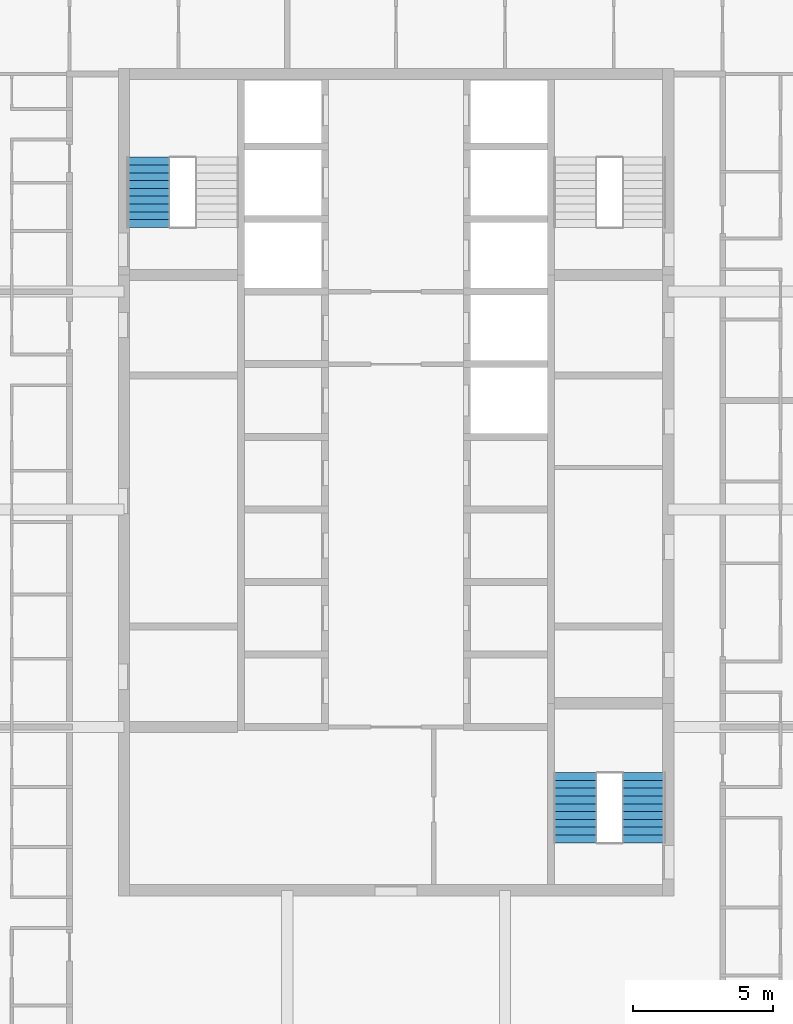
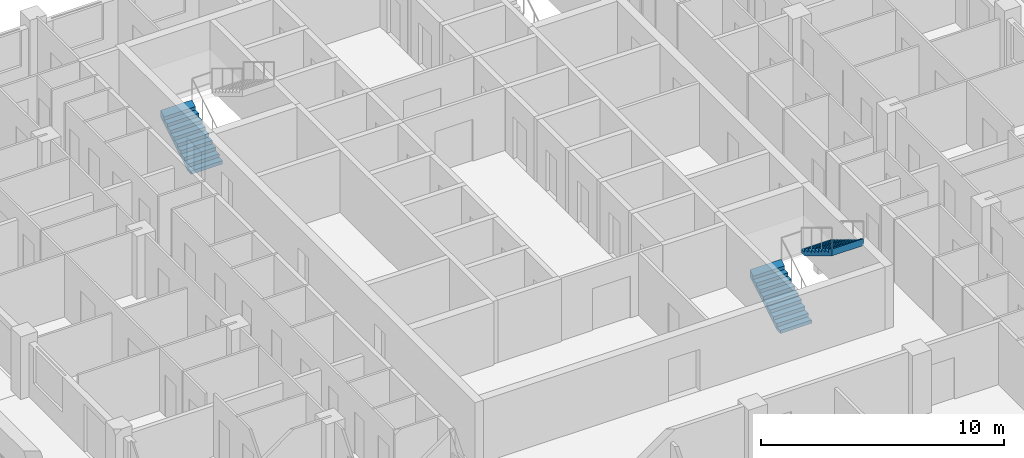
# One storey, part 13 of 16: 3 stair flights, 2 elements without a shape of their own.
"""IFC4 building model written with IfcOpenShell, lengths in metres."""

import ifcopenshell
import ifcopenshell.guid

model = None  # the IFC model being written
_history = None  # IfcOwnerHistory: only IFC2X3 demands one
_inside = {}  # id of a spatial element -> (the spatial element, [elements in it])
_under = {}  # id of a project, library or spatial element -> (it, [spatial elements below it])
_declared = {}  # id of a project -> (the project, [libraries it declares])
_typed = {}  # id of a type object -> (the type object, [elements of that type])
_made_of = {}  # id of a material, layer set ... -> (it, [elements and type objects made of it])


def new_model(schema):
    """Start an empty IFC model of exactly this schema.

    Asked for "IFC4X3", IfcOpenShell would pick the latest addendum, in which some entities
    have other attributes; the version numbers below select the first issue.
    IFC2X3 requires an IfcOwnerHistory on every rooted entity: one is made here for all.
    """
    global model, _history
    if schema == "IFC4X3":
        model = ifcopenshell.file(schema_version=(4, 3, 0, 0))
    else:
        model = ifcopenshell.file(schema=schema)
    _inside.clear()
    _under.clear()
    _declared.clear()
    _typed.clear()
    _made_of.clear()
    _history = None
    if model.schema == "IFC2X3":
        org = make("IfcOrganization", Name="unknown")
        user = make(
            "IfcPersonAndOrganization",
            ThePerson=make("IfcPerson", FamilyName="unknown"),
            TheOrganization=org,
        )
        app = make(
            "IfcApplication",
            ApplicationDeveloper=org,
            Version="unknown",
            ApplicationFullName="unknown",
            ApplicationIdentifier="unknown",
        )
        _history = make(
            "IfcOwnerHistory",
            OwningUser=user,
            OwningApplication=app,
            ChangeAction="ADDED",
            CreationDate=0,
        )
    return model


def make(cls, **values):
    """One entity of the class cls with the attributes given. An attribute that is None is left unset."""
    return model.create_entity(
        cls, **{name: value for name, value in values.items() if value is not None}
    )


def rooted(cls, **values):
    """An entity with a GlobalId (a new one), such as an element, a storey or a relation."""
    return make(cls, GlobalId=ifcopenshell.guid.new(), OwnerHistory=_history, **values)


def si_unit(unit_type, name, prefix=None):
    """IfcSIUnit, for example si_unit("LENGTHUNIT", "METRE", prefix="MILLI")."""
    return make("IfcSIUnit", UnitType=unit_type, Prefix=prefix, Name=name)


def assignment(units):
    """IfcUnitAssignment: the units of a project."""
    return None if units is None else make("IfcUnitAssignment", Units=units)


def point(xyz):
    """IfcCartesianPoint."""
    return None if xyz is None else make("IfcCartesianPoint", Coordinates=xyz)


def direction(xyz):
    """IfcDirection."""
    return None if xyz is None else make("IfcDirection", DirectionRatios=xyz)


def frame(location, z_axis=None, x_axis=None):
    """IfcAxis2Placement3D, a coordinate frame: its origin and axes. An axis left out is left unset."""
    return make(
        "IfcAxis2Placement3D",
        Location=point(location),
        Axis=direction(z_axis),
        RefDirection=direction(x_axis),
    )


def origin():
    """The frame at (0, 0, 0) with its axes left unset."""
    return frame((0.0, 0.0, 0.0))


def place(relative_to, where):
    """IfcLocalPlacement: puts the frame where relative to a parent placement (None: the world)."""
    return make(
        "IfcLocalPlacement", PlacementRelTo=relative_to, RelativePlacement=where
    )


def context(
    kind, dimensions, precision=None, world=None, true_north=None, identifier=None
):
    """IfcGeometricRepresentationContext, for example the 3D "Model" context."""
    return make(
        "IfcGeometricRepresentationContext",
        ContextIdentifier=identifier,
        ContextType=kind,
        CoordinateSpaceDimension=dimensions,
        Precision=precision,
        WorldCoordinateSystem=world,
        TrueNorth=true_north,
    )


def subcontext(parent, identifier, kind, view, scale=None):
    """IfcGeometricRepresentationSubContext, for example "Body" below "Model"."""
    return make(
        "IfcGeometricRepresentationSubContext",
        ContextIdentifier=identifier,
        ContextType=kind,
        ParentContext=parent,
        TargetScale=scale,
        TargetView=view,
    )


def project(units=None, contexts=None):
    """IfcProject with its units and contexts."""
    return rooted(
        "IfcProject",
        Name="project",
        RepresentationContexts=contexts,
        UnitsInContext=assignment(units),
    )


def spatial(cls, under=None, at=None, **own):
    """A site, building, storey or space (cls), placed at a placement, below another one or the project."""
    s = rooted(cls, ObjectPlacement=at, **own)
    if under is not None:
        _under.setdefault(under.id(), (under, []))[1].append(s)
    return s


def point_list(points):
    """IfcCartesianPointList2D or 3D."""
    cls = (
        "IfcCartesianPointList2D" if len(points[0]) == 2 else "IfcCartesianPointList3D"
    )
    return make(cls, CoordList=points)


def triangles(points, corners, closed=None, point_numbers=None):
    """IfcTriangulatedFaceSet: each triangle names its three corners, points numbered from 1."""
    return make(
        "IfcTriangulatedFaceSet",
        Coordinates=point_list(points),
        Closed=closed,
        CoordIndex=corners,
        PnIndex=point_numbers,
    )


def shape(context_of_items, identifier, shape_type, items):
    """IfcShapeRepresentation: the items that make up one representation, for example the "Body"."""
    return make(
        "IfcShapeRepresentation",
        ContextOfItems=context_of_items,
        RepresentationIdentifier=identifier,
        RepresentationType=shape_type,
        Items=items,
    )


def material(Name=None, Category=None):
    """IfcMaterial."""
    return make("IfcMaterial", Name=Name, Category=Category)


def made_of(thing, what):
    """Note that an element or type object is made of a material, layer set ...; save() writes the relation."""
    if what is not None:
        _made_of.setdefault(what.id(), (what, []))[1].append(thing)
    return thing


def type_object(cls, material=None, **own):
    """A type object (cls), such as IfcWallType, which elements share."""
    return made_of(rooted(cls, **own), material)


def element(
    cls,
    number,
    at=None,
    inside=None,
    cuts=None,
    type_object=None,
    material=None,
    context=None,
    identifier="Body",
    shape_type=None,
    held_by="IfcProductDefinitionShape",
    body=None,
    shapes=None,
    **own,
):
    """One element of the class cls, such as IfcWall. Its Tag is "e" and its number.

    at: its placement. inside: the storey or other place that contains it. cuts: it is an
    opening in that element (IfcRelVoidsElement). A single representation is given by context,
    identifier, shape_type and body (its items); several are given by shapes. held_by: the class
    of the entity that holds the representations. save() writes the other relations.
    """
    e = rooted(cls, Tag="e%d" % number, ObjectPlacement=at, **own)
    if body is not None:
        shapes = [shape(context, identifier, shape_type, body)]
    if shapes is not None:
        e.Representation = make(held_by, Representations=shapes)
    if inside is not None:
        _inside.setdefault(inside.id(), (inside, []))[1].append(e)
    if cuts is not None:
        rooted(
            "IfcRelVoidsElement", RelatingBuildingElement=cuts, RelatedOpeningElement=e
        )
    if type_object is not None:
        _typed.setdefault(type_object.id(), (type_object, []))[1].append(e)
    return made_of(e, material)


def aggregate(whole, parts):
    """IfcRelAggregates: a whole, such as a stair, and the parts it consists of."""
    return rooted("IfcRelAggregates", RelatingObject=whole, RelatedObjects=parts)


def save(model, path):
    """Write the relations noted so far, then the file.

    IfcRelAggregates (storeys below a building ...), IfcRelContainedInSpatialStructure (elements
    in a storey), IfcRelDefinesByType, IfcRelAssociatesMaterial and IfcRelDeclares: one each for
    every whole, place, type object, material and project.
    """
    for whole, parts in _under.values():
        aggregate(whole, parts)
    for where, things in _inside.values():
        rooted(
            "IfcRelContainedInSpatialStructure",
            RelatedElements=things,
            RelatingStructure=where,
        )
    for kind, things in _typed.values():
        rooted("IfcRelDefinesByType", RelatedObjects=things, RelatingType=kind)
    for what, things in _made_of.values():
        rooted("IfcRelAssociatesMaterial", RelatedObjects=things, RelatingMaterial=what)
    for by, libraries in _declared.values():
        rooted("IfcRelDeclares", RelatingContext=by, RelatedDefinitions=libraries)
    model.write(path)


model = new_model("IFC4")

# Units and contexts
model_context = context("Model", 3, precision=1e-05, world=origin(), true_north=direction((0.0, 1.0)))
body_context = subcontext(model_context, "Body", "Model", "MODEL_VIEW")
ifc_project = project(units=[si_unit("LENGTHUNIT", "METRE"), si_unit("AREAUNIT", "SQUARE_METRE"), si_unit("VOLUMEUNIT", "CUBIC_METRE"), si_unit("PLANEANGLEUNIT", "RADIAN"), si_unit("MASSUNIT", "GRAM", prefix="KILO")], contexts=[model_context])

# Site, building, storey
site_placement = place(None, origin())
site = spatial("IfcSite", under=ifc_project, at=site_placement, CompositionType="ELEMENT")
building_placement = place(site_placement, origin())
building = spatial("IfcBuilding", under=site, at=building_placement, Name="Ludao Terraces", CompositionType="ELEMENT")
storey_placement = place(building_placement, frame((0.0, 0.0, 204.10009765625)))
storey = spatial("IfcBuildingStorey", under=building, at=storey_placement, Name="L55", CompositionType="ELEMENT", Elevation=204.10009765625)

# Stair, stair flight
ifc_material = material(Name="Concrete C40", Category="concrete")
stair_type = type_object("IfcStairType", Name="INT Stair", PredefinedType="HALF_TURN_STAIR", material=ifc_material)
stair_1_placement = place(storey_placement, origin())
stair_1 = element("IfcStair", 1, at=stair_1_placement, inside=storey, type_object=stair_type, Name="EXIT STAIR 1", PredefinedType="HALF_TURN_STAIR")
stair_flight_type = type_object("IfcStairFlightType", Name="INT Stair flight", PredefinedType="STRAIGHT", material=ifc_material)
stair_flight_1_placement = place(storey_placement, frame((76.125, 79.0, 0.0), z_axis=(0.0, 0.0, 1.0), x_axis=(0.0, 1.0, 0.0)))
stair_flight_1 = element("IfcStairFlight", 2, at=stair_flight_1_placement, type_object=stair_flight_type, Name="ST1 flight 1", NumberOfRisers=10, NumberOfTreads=9, PredefinedType="STRAIGHT", RiserHeight=0.17, TreadLength=0.28, context=body_context, shape_type="Tessellation", body=[
    triangles([(0.0, -0.75, 0.0), (0.0, -0.5, 0.0), (0.0, -0.25, 0.0), (0.0, 0.0, 0.0), (0.0, 0.25, 0.0), (0.0, 0.5, 0.0), (0.0, 0.75, 0.0), (0.0, -0.75, 0.169921875), (0.0, -0.5, 0.169921875), (0.0, -0.25, 0.169921875), (0.0, 0.0, 0.169921875), (0.0, 0.25, 0.169921875), (0.0, 0.5, 0.169921875), (0.0, 0.75, 0.169921875), (0.280029296875, -0.75, 0.169921875), (0.280029296875, -0.5, 0.169921875), (0.280029296875, -0.25, 0.169921875), (0.280029296875, 0.0, 0.169921875), (0.280029296875, 0.25, 0.169921875), (0.280029296875, 0.5, 0.169921875), (0.280029296875, 0.75, 0.169921875), (0.280029296875, -0.75, 0.340087890625), (0.280029296875, -0.5, 0.340087890625), (0.280029296875, -0.25, 0.340087890625), (0.280029296875, 0.0, 0.340087890625), (0.280029296875, 0.25, 0.340087890625), (0.280029296875, 0.5, 0.340087890625), (0.280029296875, 0.75, 0.340087890625), (0.56005859375, -0.75, 0.340087890625), (0.56005859375, -0.5, 0.340087890625), (0.56005859375, -0.25, 0.340087890625), (0.56005859375, 0.0, 0.340087890625), (0.56005859375, 0.25, 0.340087890625), (0.56005859375, 0.5, 0.340087890625), (0.56005859375, 0.75, 0.340087890625), (0.56005859375, -0.75, 0.510009765625), (0.56005859375, -0.5, 0.510009765625), (0.56005859375, -0.25, 0.510009765625), (0.56005859375, 0.0, 0.510009765625), (0.56005859375, 0.25, 0.510009765625), (0.56005859375, 0.5, 0.510009765625), (0.56005859375, 0.75, 0.510009765625), (0.840087890625, -0.75, 0.510009765625), (0.840087890625, -0.5, 0.510009765625), (0.840087890625, -0.25, 0.510009765625), (0.840087890625, 0.0, 0.510009765625), (0.840087890625, 0.25, 0.510009765625), (0.840087890625, 0.5, 0.510009765625), (0.840087890625, 0.75, 0.510009765625), (0.840087890625, -0.75, 0.679931640625), (0.840087890625, -0.5, 0.679931640625), (0.840087890625, -0.25, 0.679931640625), (0.840087890625, 0.0, 0.679931640625), (0.840087890625, 0.25, 0.679931640625), (0.840087890625, 0.5, 0.679931640625), (0.840087890625, 0.75, 0.679931640625), (1.1201171875, -0.75, 0.679931640625), (1.1201171875, -0.5, 0.679931640625), (1.1201171875, -0.25, 0.679931640625), (1.1201171875, 0.0, 0.679931640625), (1.1201171875, 0.25, 0.679931640625), (1.1201171875, 0.5, 0.679931640625), (1.1201171875, 0.75, 0.679931640625), (1.1201171875, -0.75, 0.85009765625), (1.1201171875, -0.5, 0.85009765625), (1.1201171875, -0.25, 0.85009765625), (1.1201171875, 0.0, 0.85009765625), (1.1201171875, 0.25, 0.85009765625), (1.1201171875, 0.5, 0.85009765625), (1.1201171875, 0.75, 0.85009765625), (1.39990234375, -0.75, 0.85009765625), (1.39990234375, -0.5, 0.85009765625), (1.39990234375, -0.25, 0.85009765625), (1.39990234375, 0.0, 0.85009765625), (1.39990234375, 0.25, 0.85009765625), (1.39990234375, 0.5, 0.85009765625), (1.39990234375, 0.75, 0.85009765625), (1.39990234375, -0.75, 1.02001953125), (1.39990234375, -0.5, 1.02001953125), (1.39990234375, -0.25, 1.02001953125), (1.39990234375, 0.0, 1.02001953125), (1.39990234375, 0.25, 1.02001953125), (1.39990234375, 0.5, 1.02001953125), (1.39990234375, 0.75, 1.02001953125), (1.679931640625, -0.75, 1.02001953125), (1.679931640625, -0.5, 1.02001953125), (1.679931640625, -0.25, 1.02001953125), (1.679931640625, 0.0, 1.02001953125), (1.679931640625, 0.25, 1.02001953125), (1.679931640625, 0.5, 1.02001953125), (1.679931640625, 0.75, 1.02001953125), (1.679931640625, -0.75, 1.18994140625), (1.679931640625, -0.5, 1.18994140625), (1.679931640625, -0.25, 1.18994140625), (1.679931640625, 0.0, 1.18994140625), (1.679931640625, 0.25, 1.18994140625), (1.679931640625, 0.5, 1.18994140625), (1.679931640625, 0.75, 1.18994140625), (1.9599609375, -0.75, 1.18994140625), (1.9599609375, -0.5, 1.18994140625), (1.9599609375, -0.25, 1.18994140625), (1.9599609375, 0.0, 1.18994140625), (1.9599609375, 0.25, 1.18994140625), (1.9599609375, 0.5, 1.18994140625), (1.9599609375, 0.75, 1.18994140625), (1.9599609375, -0.75, 1.360107421875), (1.9599609375, -0.5, 1.360107421875), (1.9599609375, -0.25, 1.360107421875), (1.9599609375, 0.0, 1.360107421875), (1.9599609375, 0.25, 1.360107421875), (1.9599609375, 0.5, 1.360107421875), (1.9599609375, 0.75, 1.360107421875), (2.239990234375, -0.75, 1.360107421875), (2.239990234375, -0.5, 1.360107421875), (2.239990234375, -0.25, 1.360107421875), (2.239990234375, 0.0, 1.360107421875), (2.239990234375, 0.25, 1.360107421875), (2.239990234375, 0.5, 1.360107421875), (2.239990234375, 0.75, 1.360107421875), (2.239990234375, -0.75, 1.530029296875), (2.239990234375, -0.5, 1.530029296875), (2.239990234375, -0.25, 1.530029296875), (2.239990234375, 0.0, 1.530029296875), (2.239990234375, 0.25, 1.530029296875), (2.239990234375, 0.5, 1.530029296875), (2.239990234375, 0.75, 1.530029296875), (2.52001953125, -0.75, 1.699951171875), (2.52001953125, -0.5, 1.699951171875), (2.52001953125, -0.25, 1.699951171875), (2.52001953125, 0.0, 1.699951171875), (2.52001953125, 0.25, 1.699951171875), (2.52001953125, 0.5, 1.699951171875), (2.52001953125, 0.75, 1.699951171875), (2.52001953125, -0.75, 1.354736328125), (2.52001953125, -0.5, 1.354736328125), (2.52001953125, -0.25, 1.354736328125), (2.52001953125, 0.0, 1.354736328125), (2.52001953125, 0.25, 1.354736328125), (2.52001953125, 0.5, 1.354736328125), (2.52001953125, 0.75, 1.354736328125), (0.288818359375, -0.75, 0.0), (0.288818359375, -0.5, 0.0), (0.288818359375, -0.25, 0.0), (0.288818359375, 0.0, 0.0), (0.288818359375, 0.25, 0.0), (0.288818359375, 0.5, 0.0), (0.288818359375, 0.75, 0.0)], [[1, 141, 134], [7, 140, 147], [134, 127, 120], [140, 126, 133], [134, 120, 113], [140, 119, 126], [134, 113, 106], [140, 112, 119], [134, 106, 99], [140, 105, 112], [99, 92, 85], [105, 91, 98], [134, 99, 85], [140, 91, 105], [85, 78, 71], [91, 77, 84], [134, 85, 71], [140, 77, 91], [71, 64, 57], [77, 63, 70], [134, 71, 57], [140, 63, 77], [57, 50, 43], [63, 49, 56], [134, 57, 43], [140, 49, 63], [43, 36, 29], [49, 35, 42], [134, 43, 29], [140, 35, 49], [29, 22, 15], [35, 21, 28], [134, 29, 15], [140, 21, 35], [1, 134, 15], [7, 21, 140], [15, 8, 1], [21, 7, 14], [1, 9, 2], [1, 8, 9], [2, 10, 3], [2, 9, 10], [3, 11, 4], [3, 10, 11], [4, 12, 5], [4, 11, 12], [5, 13, 6], [5, 12, 13], [6, 14, 7], [6, 13, 14], [8, 16, 9], [8, 15, 16], [9, 17, 10], [9, 16, 17], [10, 18, 11], [10, 17, 18], [11, 19, 12], [11, 18, 19], [12, 20, 13], [12, 19, 20], [13, 21, 14], [13, 20, 21], [15, 23, 16], [15, 22, 23], [16, 24, 17], [16, 23, 24], [17, 25, 18], [17, 24, 25], [18, 26, 19], [18, 25, 26], [19, 27, 20], [19, 26, 27], [20, 28, 21], [20, 27, 28], [22, 30, 23], [22, 29, 30], [23, 31, 24], [23, 30, 31], [24, 32, 25], [24, 31, 32], [25, 33, 26], [25, 32, 33], [26, 34, 27], [26, 33, 34], [27, 35, 28], [27, 34, 35], [29, 37, 30], [29, 36, 37], [30, 38, 31], [30, 37, 38], [31, 39, 32], [31, 38, 39], [32, 40, 33], [32, 39, 40], [33, 41, 34], [33, 40, 41], [34, 42, 35], [34, 41, 42], [36, 44, 37], [36, 43, 44], [37, 45, 38], [37, 44, 45], [38, 46, 39], [38, 45, 46], [39, 47, 40], [39, 46, 47], [40, 48, 41], [40, 47, 48], [41, 49, 42], [41, 48, 49], [43, 51, 44], [43, 50, 51], [44, 52, 45], [44, 51, 52], [45, 53, 46], [45, 52, 53], [46, 54, 47], [46, 53, 54], [47, 55, 48], [47, 54, 55], [48, 56, 49], [48, 55, 56], [50, 58, 51], [50, 57, 58], [51, 59, 52], [51, 58, 59], [52, 60, 53], [52, 59, 60], [53, 61, 54], [53, 60, 61], [54, 62, 55], [54, 61, 62], [55, 63, 56], [55, 62, 63], [57, 65, 58], [57, 64, 65], [58, 66, 59], [58, 65, 66], [59, 67, 60], [59, 66, 67], [60, 68, 61], [60, 67, 68], [61, 69, 62], [61, 68, 69], [62, 70, 63], [62, 69, 70], [64, 72, 65], [64, 71, 72], [65, 73, 66], [65, 72, 73], [66, 74, 67], [66, 73, 74], [67, 75, 68], [67, 74, 75], [68, 76, 69], [68, 75, 76], [69, 77, 70], [69, 76, 77], [71, 79, 72], [71, 78, 79], [72, 80, 73], [72, 79, 80], [73, 81, 74], [73, 80, 81], [74, 82, 75], [74, 81, 82], [75, 83, 76], [75, 82, 83], [76, 84, 77], [76, 83, 84], [78, 86, 79], [78, 85, 86], [79, 87, 80], [79, 86, 87], [80, 88, 81], [80, 87, 88], [81, 89, 82], [81, 88, 89], [82, 90, 83], [82, 89, 90], [83, 91, 84], [83, 90, 91], [85, 93, 86], [85, 92, 93], [86, 94, 87], [86, 93, 94], [87, 95, 88], [87, 94, 95], [88, 96, 89], [88, 95, 96], [89, 97, 90], [89, 96, 97], [90, 98, 91], [90, 97, 98], [92, 100, 93], [92, 99, 100], [93, 101, 94], [93, 100, 101], [94, 102, 95], [94, 101, 102], [95, 103, 96], [95, 102, 103], [96, 104, 97], [96, 103, 104], [97, 105, 98], [97, 104, 105], [99, 107, 100], [99, 106, 107], [100, 108, 101], [100, 107, 108], [101, 109, 102], [101, 108, 109], [102, 110, 103], [102, 109, 110], [103, 111, 104], [103, 110, 111], [104, 112, 105], [104, 111, 112], [106, 114, 107], [106, 113, 114], [107, 115, 108], [107, 114, 115], [108, 116, 109], [108, 115, 116], [109, 117, 110], [109, 116, 117], [110, 118, 111], [110, 117, 118], [111, 119, 112], [111, 118, 119], [113, 121, 114], [113, 120, 121], [114, 122, 115], [114, 121, 122], [115, 123, 116], [115, 122, 123], [116, 124, 117], [116, 123, 124], [117, 125, 118], [117, 124, 125], [118, 126, 119], [118, 125, 126], [120, 128, 121], [120, 127, 128], [121, 129, 122], [121, 128, 129], [122, 130, 123], [122, 129, 130], [123, 131, 124], [123, 130, 131], [124, 132, 125], [124, 131, 132], [125, 133, 126], [125, 132, 133], [127, 135, 128], [127, 134, 135], [128, 136, 129], [128, 135, 136], [129, 137, 130], [129, 136, 137], [130, 138, 131], [130, 137, 138], [131, 139, 132], [131, 138, 139], [132, 140, 133], [132, 139, 140], [134, 142, 135], [134, 141, 142], [135, 143, 136], [135, 142, 143], [136, 144, 137], [136, 143, 144], [137, 145, 138], [137, 144, 145], [138, 146, 139], [138, 145, 146], [139, 147, 140], [139, 146, 147], [141, 2, 142], [141, 1, 2], [142, 3, 143], [142, 2, 3], [143, 4, 144], [143, 3, 4], [144, 5, 145], [144, 4, 5], [145, 6, 146], [145, 5, 6], [146, 7, 147], [146, 6, 7]], closed=True),
])
aggregate(stair_1, [stair_flight_1])

# Stair, stair flights
stair_2_placement = place(storey_placement, origin())
stair_2 = element("IfcStair", 3, at=stair_2_placement, inside=storey, type_object=stair_type, Name="EXIT STAIR 3", PredefinedType="HALF_TURN_STAIR")
stair_flight_2_placement = place(storey_placement, frame((91.425048828125, 56.949951171875, 0.0), z_axis=(0.0, 0.0, 1.0), x_axis=(0.0, 1.0, 0.0)))
stair_flight_2 = element("IfcStairFlight", 4, at=stair_flight_2_placement, type_object=stair_flight_type, Name="ST3 flight 1", NumberOfRisers=10, NumberOfTreads=9, PredefinedType="STRAIGHT", RiserHeight=0.17, TreadLength=0.28, context=body_context, shape_type="Tessellation", body=[
    triangles([(0.0, -0.75, 0.0), (0.0, -0.5, 0.0), (0.0, -0.25, 0.0), (0.0, 0.0, 0.0), (0.0, 0.25, 0.0), (0.0, 0.5, 0.0), (0.0, 0.75, 0.0), (0.0, -0.75, 0.169921875), (0.0, -0.5, 0.169921875), (0.0, -0.25, 0.169921875), (0.0, 0.0, 0.169921875), (0.0, 0.25, 0.169921875), (0.0, 0.5, 0.169921875), (0.0, 0.75, 0.169921875), (0.280029296875, -0.75, 0.169921875), (0.280029296875, -0.5, 0.169921875), (0.280029296875, -0.25, 0.169921875), (0.280029296875, 0.0, 0.169921875), (0.280029296875, 0.25, 0.169921875), (0.280029296875, 0.5, 0.169921875), (0.280029296875, 0.75, 0.169921875), (0.280029296875, -0.75, 0.340087890625), (0.280029296875, -0.5, 0.340087890625), (0.280029296875, -0.25, 0.340087890625), (0.280029296875, 0.0, 0.340087890625), (0.280029296875, 0.25, 0.340087890625), (0.280029296875, 0.5, 0.340087890625), (0.280029296875, 0.75, 0.340087890625), (0.56005859375, -0.75, 0.340087890625), (0.56005859375, -0.5, 0.340087890625), (0.56005859375, -0.25, 0.340087890625), (0.56005859375, 0.0, 0.340087890625), (0.56005859375, 0.25, 0.340087890625), (0.56005859375, 0.5, 0.340087890625), (0.56005859375, 0.75, 0.340087890625), (0.56005859375, -0.75, 0.510009765625), (0.56005859375, -0.5, 0.510009765625), (0.56005859375, -0.25, 0.510009765625), (0.56005859375, 0.0, 0.510009765625), (0.56005859375, 0.25, 0.510009765625), (0.56005859375, 0.5, 0.510009765625), (0.56005859375, 0.75, 0.510009765625), (0.840087890625, -0.75, 0.510009765625), (0.840087890625, -0.5, 0.510009765625), (0.840087890625, -0.25, 0.510009765625), (0.840087890625, 0.0, 0.510009765625), (0.840087890625, 0.25, 0.510009765625), (0.840087890625, 0.5, 0.510009765625), (0.840087890625, 0.75, 0.510009765625), (0.840087890625, -0.75, 0.679931640625), (0.840087890625, -0.5, 0.679931640625), (0.840087890625, -0.25, 0.679931640625), (0.840087890625, 0.0, 0.679931640625), (0.840087890625, 0.25, 0.679931640625), (0.840087890625, 0.5, 0.679931640625), (0.840087890625, 0.75, 0.679931640625), (1.1201171875, -0.75, 0.679931640625), (1.1201171875, -0.5, 0.679931640625), (1.1201171875, -0.25, 0.679931640625), (1.1201171875, 0.0, 0.679931640625), (1.1201171875, 0.25, 0.679931640625), (1.1201171875, 0.5, 0.679931640625), (1.1201171875, 0.75, 0.679931640625), (1.1201171875, -0.75, 0.85009765625), (1.1201171875, -0.5, 0.85009765625), (1.1201171875, -0.25, 0.85009765625), (1.1201171875, 0.0, 0.85009765625), (1.1201171875, 0.25, 0.85009765625), (1.1201171875, 0.5, 0.85009765625), (1.1201171875, 0.75, 0.85009765625), (1.39990234375, -0.75, 0.85009765625), (1.39990234375, -0.5, 0.85009765625), (1.39990234375, -0.25, 0.85009765625), (1.39990234375, 0.0, 0.85009765625), (1.39990234375, 0.25, 0.85009765625), (1.39990234375, 0.5, 0.85009765625), (1.39990234375, 0.75, 0.85009765625), (1.39990234375, -0.75, 1.02001953125), (1.39990234375, -0.5, 1.02001953125), (1.39990234375, -0.25, 1.02001953125), (1.39990234375, 0.0, 1.02001953125), (1.39990234375, 0.25, 1.02001953125), (1.39990234375, 0.5, 1.02001953125), (1.39990234375, 0.75, 1.02001953125), (1.679931640625, -0.75, 1.02001953125), (1.679931640625, -0.5, 1.02001953125), (1.679931640625, -0.25, 1.02001953125), (1.679931640625, 0.0, 1.02001953125), (1.679931640625, 0.25, 1.02001953125), (1.679931640625, 0.5, 1.02001953125), (1.679931640625, 0.75, 1.02001953125), (1.679931640625, -0.75, 1.18994140625), (1.679931640625, -0.5, 1.18994140625), (1.679931640625, -0.25, 1.18994140625), (1.679931640625, 0.0, 1.18994140625), (1.679931640625, 0.25, 1.18994140625), (1.679931640625, 0.5, 1.18994140625), (1.679931640625, 0.75, 1.18994140625), (1.9599609375, -0.75, 1.18994140625), (1.9599609375, -0.5, 1.18994140625), (1.9599609375, -0.25, 1.18994140625), (1.9599609375, 0.0, 1.18994140625), (1.9599609375, 0.25, 1.18994140625), (1.9599609375, 0.5, 1.18994140625), (1.9599609375, 0.75, 1.18994140625), (1.9599609375, -0.75, 1.360107421875), (1.9599609375, -0.5, 1.360107421875), (1.9599609375, -0.25, 1.360107421875), (1.9599609375, 0.0, 1.360107421875), (1.9599609375, 0.25, 1.360107421875), (1.9599609375, 0.5, 1.360107421875), (1.9599609375, 0.75, 1.360107421875), (2.239990234375, -0.75, 1.360107421875), (2.239990234375, -0.5, 1.360107421875), (2.239990234375, -0.25, 1.360107421875), (2.239990234375, 0.0, 1.360107421875), (2.239990234375, 0.25, 1.360107421875), (2.239990234375, 0.5, 1.360107421875), (2.239990234375, 0.75, 1.360107421875), (2.239990234375, -0.75, 1.530029296875), (2.239990234375, -0.5, 1.530029296875), (2.239990234375, -0.25, 1.530029296875), (2.239990234375, 0.0, 1.530029296875), (2.239990234375, 0.25, 1.530029296875), (2.239990234375, 0.5, 1.530029296875), (2.239990234375, 0.75, 1.530029296875), (2.52001953125, -0.75, 1.699951171875), (2.52001953125, -0.5, 1.699951171875), (2.52001953125, -0.25, 1.699951171875), (2.52001953125, 0.0, 1.699951171875), (2.52001953125, 0.25, 1.699951171875), (2.52001953125, 0.5, 1.699951171875), (2.52001953125, 0.75, 1.699951171875), (2.52001953125, -0.75, 1.354736328125), (2.52001953125, -0.5, 1.354736328125), (2.52001953125, -0.25, 1.354736328125), (2.52001953125, 0.0, 1.354736328125), (2.52001953125, 0.25, 1.354736328125), (2.52001953125, 0.5, 1.354736328125), (2.52001953125, 0.75, 1.354736328125), (0.288818359375, -0.75, 0.0), (0.288818359375, -0.5, 0.0), (0.288818359375, -0.25, 0.0), (0.288818359375, 0.0, 0.0), (0.288818359375, 0.25, 0.0), (0.288818359375, 0.5, 0.0), (0.288818359375, 0.75, 0.0)], [[1, 141, 134], [7, 140, 147], [134, 127, 120], [140, 126, 133], [134, 120, 113], [140, 119, 126], [134, 113, 106], [140, 112, 119], [134, 106, 99], [140, 105, 112], [99, 92, 85], [105, 91, 98], [134, 99, 85], [140, 91, 105], [85, 78, 71], [91, 77, 84], [134, 85, 71], [140, 77, 91], [71, 64, 57], [77, 63, 70], [134, 71, 57], [140, 63, 77], [57, 50, 43], [63, 49, 56], [134, 57, 43], [140, 49, 63], [43, 36, 29], [49, 35, 42], [134, 43, 29], [140, 35, 49], [29, 22, 15], [35, 21, 28], [134, 29, 15], [140, 21, 35], [1, 134, 15], [7, 21, 140], [15, 8, 1], [21, 7, 14], [1, 9, 2], [1, 8, 9], [2, 10, 3], [2, 9, 10], [3, 11, 4], [3, 10, 11], [4, 12, 5], [4, 11, 12], [5, 13, 6], [5, 12, 13], [6, 14, 7], [6, 13, 14], [8, 16, 9], [8, 15, 16], [9, 17, 10], [9, 16, 17], [10, 18, 11], [10, 17, 18], [11, 19, 12], [11, 18, 19], [12, 20, 13], [12, 19, 20], [13, 21, 14], [13, 20, 21], [15, 23, 16], [15, 22, 23], [16, 24, 17], [16, 23, 24], [17, 25, 18], [17, 24, 25], [18, 26, 19], [18, 25, 26], [19, 27, 20], [19, 26, 27], [20, 28, 21], [20, 27, 28], [22, 30, 23], [22, 29, 30], [23, 31, 24], [23, 30, 31], [24, 32, 25], [24, 31, 32], [25, 33, 26], [25, 32, 33], [26, 34, 27], [26, 33, 34], [27, 35, 28], [27, 34, 35], [29, 37, 30], [29, 36, 37], [30, 38, 31], [30, 37, 38], [31, 39, 32], [31, 38, 39], [32, 40, 33], [32, 39, 40], [33, 41, 34], [33, 40, 41], [34, 42, 35], [34, 41, 42], [36, 44, 37], [36, 43, 44], [37, 45, 38], [37, 44, 45], [38, 46, 39], [38, 45, 46], [39, 47, 40], [39, 46, 47], [40, 48, 41], [40, 47, 48], [41, 49, 42], [41, 48, 49], [43, 51, 44], [43, 50, 51], [44, 52, 45], [44, 51, 52], [45, 53, 46], [45, 52, 53], [46, 54, 47], [46, 53, 54], [47, 55, 48], [47, 54, 55], [48, 56, 49], [48, 55, 56], [50, 58, 51], [50, 57, 58], [51, 59, 52], [51, 58, 59], [52, 60, 53], [52, 59, 60], [53, 61, 54], [53, 60, 61], [54, 62, 55], [54, 61, 62], [55, 63, 56], [55, 62, 63], [57, 65, 58], [57, 64, 65], [58, 66, 59], [58, 65, 66], [59, 67, 60], [59, 66, 67], [60, 68, 61], [60, 67, 68], [61, 69, 62], [61, 68, 69], [62, 70, 63], [62, 69, 70], [64, 72, 65], [64, 71, 72], [65, 73, 66], [65, 72, 73], [66, 74, 67], [66, 73, 74], [67, 75, 68], [67, 74, 75], [68, 76, 69], [68, 75, 76], [69, 77, 70], [69, 76, 77], [71, 79, 72], [71, 78, 79], [72, 80, 73], [72, 79, 80], [73, 81, 74], [73, 80, 81], [74, 82, 75], [74, 81, 82], [75, 83, 76], [75, 82, 83], [76, 84, 77], [76, 83, 84], [78, 86, 79], [78, 85, 86], [79, 87, 80], [79, 86, 87], [80, 88, 81], [80, 87, 88], [81, 89, 82], [81, 88, 89], [82, 90, 83], [82, 89, 90], [83, 91, 84], [83, 90, 91], [85, 93, 86], [85, 92, 93], [86, 94, 87], [86, 93, 94], [87, 95, 88], [87, 94, 95], [88, 96, 89], [88, 95, 96], [89, 97, 90], [89, 96, 97], [90, 98, 91], [90, 97, 98], [92, 100, 93], [92, 99, 100], [93, 101, 94], [93, 100, 101], [94, 102, 95], [94, 101, 102], [95, 103, 96], [95, 102, 103], [96, 104, 97], [96, 103, 104], [97, 105, 98], [97, 104, 105], [99, 107, 100], [99, 106, 107], [100, 108, 101], [100, 107, 108], [101, 109, 102], [101, 108, 109], [102, 110, 103], [102, 109, 110], [103, 111, 104], [103, 110, 111], [104, 112, 105], [104, 111, 112], [106, 114, 107], [106, 113, 114], [107, 115, 108], [107, 114, 115], [108, 116, 109], [108, 115, 116], [109, 117, 110], [109, 116, 117], [110, 118, 111], [110, 117, 118], [111, 119, 112], [111, 118, 119], [113, 121, 114], [113, 120, 121], [114, 122, 115], [114, 121, 122], [115, 123, 116], [115, 122, 123], [116, 124, 117], [116, 123, 124], [117, 125, 118], [117, 124, 125], [118, 126, 119], [118, 125, 126], [120, 128, 121], [120, 127, 128], [121, 129, 122], [121, 128, 129], [122, 130, 123], [122, 129, 130], [123, 131, 124], [123, 130, 131], [124, 132, 125], [124, 131, 132], [125, 133, 126], [125, 132, 133], [127, 135, 128], [127, 134, 135], [128, 136, 129], [128, 135, 136], [129, 137, 130], [129, 136, 137], [130, 138, 131], [130, 137, 138], [131, 139, 132], [131, 138, 139], [132, 140, 133], [132, 139, 140], [134, 142, 135], [134, 141, 142], [135, 143, 136], [135, 142, 143], [136, 144, 137], [136, 143, 144], [137, 145, 138], [137, 144, 145], [138, 146, 139], [138, 145, 146], [139, 147, 140], [139, 146, 147], [141, 2, 142], [141, 1, 2], [142, 3, 143], [142, 2, 3], [143, 4, 144], [143, 3, 4], [144, 5, 145], [144, 4, 5], [145, 6, 146], [145, 5, 6], [146, 7, 147], [146, 6, 7]], closed=True),
])
stair_flight_3_placement = place(storey_placement, frame((93.875, 59.469970703125, 1.699951171875), z_axis=(0.0, 0.0, 1.0), x_axis=(0.0, -1.0, 0.0)))
stair_flight_3 = element("IfcStairFlight", 5, at=stair_flight_3_placement, type_object=stair_flight_type, Name="ST3 flight 2", NumberOfRisers=10, NumberOfTreads=9, PredefinedType="STRAIGHT", RiserHeight=0.17, TreadLength=0.28, context=body_context, shape_type="Tessellation", body=[
    triangles([(0.0, -0.75, 0.0), (0.0, -0.5, 0.0), (0.0, -0.25, 0.0), (0.0, 0.0, 0.0), (0.0, 0.25, 0.0), (0.0, 0.5, 0.0), (0.0, 0.75, 0.0), (0.0, -0.75, 0.169921875), (0.0, -0.5, 0.169921875), (0.0, -0.25, 0.169921875), (0.0, 0.0, 0.169921875), (0.0, 0.25, 0.169921875), (0.0, 0.5, 0.169921875), (0.0, 0.75, 0.169921875), (0.280029296875, -0.75, 0.169921875), (0.280029296875, -0.5, 0.169921875), (0.280029296875, -0.25, 0.169921875), (0.280029296875, 0.0, 0.169921875), (0.280029296875, 0.25, 0.169921875), (0.280029296875, 0.5, 0.169921875), (0.280029296875, 0.75, 0.169921875), (0.280029296875, -0.75, 0.340087890625), (0.280029296875, -0.5, 0.340087890625), (0.280029296875, -0.25, 0.340087890625), (0.280029296875, 0.0, 0.340087890625), (0.280029296875, 0.25, 0.340087890625), (0.280029296875, 0.5, 0.340087890625), (0.280029296875, 0.75, 0.340087890625), (0.56005859375, -0.75, 0.340087890625), (0.56005859375, -0.5, 0.340087890625), (0.56005859375, -0.25, 0.340087890625), (0.56005859375, 0.0, 0.340087890625), (0.56005859375, 0.25, 0.340087890625), (0.56005859375, 0.5, 0.340087890625), (0.56005859375, 0.75, 0.340087890625), (0.56005859375, -0.75, 0.510009765625), (0.56005859375, -0.5, 0.510009765625), (0.56005859375, -0.25, 0.510009765625), (0.56005859375, 0.0, 0.510009765625), (0.56005859375, 0.25, 0.510009765625), (0.56005859375, 0.5, 0.510009765625), (0.56005859375, 0.75, 0.510009765625), (0.840087890625, -0.75, 0.510009765625), (0.840087890625, -0.5, 0.510009765625), (0.840087890625, -0.25, 0.510009765625), (0.840087890625, 0.0, 0.510009765625), (0.840087890625, 0.25, 0.510009765625), (0.840087890625, 0.5, 0.510009765625), (0.840087890625, 0.75, 0.510009765625), (0.840087890625, -0.75, 0.679931640625), (0.840087890625, -0.5, 0.679931640625), (0.840087890625, -0.25, 0.679931640625), (0.840087890625, 0.0, 0.679931640625), (0.840087890625, 0.25, 0.679931640625), (0.840087890625, 0.5, 0.679931640625), (0.840087890625, 0.75, 0.679931640625), (1.1201171875, -0.75, 0.679931640625), (1.1201171875, -0.5, 0.679931640625), (1.1201171875, -0.25, 0.679931640625), (1.1201171875, 0.0, 0.679931640625), (1.1201171875, 0.25, 0.679931640625), (1.1201171875, 0.5, 0.679931640625), (1.1201171875, 0.75, 0.679931640625), (1.1201171875, -0.75, 0.85009765625), (1.1201171875, -0.5, 0.85009765625), (1.1201171875, -0.25, 0.85009765625), (1.1201171875, 0.0, 0.85009765625), (1.1201171875, 0.25, 0.85009765625), (1.1201171875, 0.5, 0.85009765625), (1.1201171875, 0.75, 0.85009765625), (1.39990234375, -0.75, 0.85009765625), (1.39990234375, -0.5, 0.85009765625), (1.39990234375, -0.25, 0.85009765625), (1.39990234375, 0.0, 0.85009765625), (1.39990234375, 0.25, 0.85009765625), (1.39990234375, 0.5, 0.85009765625), (1.39990234375, 0.75, 0.85009765625), (1.39990234375, -0.75, 1.02001953125), (1.39990234375, -0.5, 1.02001953125), (1.39990234375, -0.25, 1.02001953125), (1.39990234375, 0.0, 1.02001953125), (1.39990234375, 0.25, 1.02001953125), (1.39990234375, 0.5, 1.02001953125), (1.39990234375, 0.75, 1.02001953125), (1.679931640625, -0.75, 1.02001953125), (1.679931640625, -0.5, 1.02001953125), (1.679931640625, -0.25, 1.02001953125), (1.679931640625, 0.0, 1.02001953125), (1.679931640625, 0.25, 1.02001953125), (1.679931640625, 0.5, 1.02001953125), (1.679931640625, 0.75, 1.02001953125), (1.679931640625, -0.75, 1.18994140625), (1.679931640625, -0.5, 1.18994140625), (1.679931640625, -0.25, 1.18994140625), (1.679931640625, 0.0, 1.18994140625), (1.679931640625, 0.25, 1.18994140625), (1.679931640625, 0.5, 1.18994140625), (1.679931640625, 0.75, 1.18994140625), (1.9599609375, -0.75, 1.18994140625), (1.9599609375, -0.5, 1.18994140625), (1.9599609375, -0.25, 1.18994140625), (1.9599609375, 0.0, 1.18994140625), (1.9599609375, 0.25, 1.18994140625), (1.9599609375, 0.5, 1.18994140625), (1.9599609375, 0.75, 1.18994140625), (1.9599609375, -0.75, 1.360107421875), (1.9599609375, -0.5, 1.360107421875), (1.9599609375, -0.25, 1.360107421875), (1.9599609375, 0.0, 1.360107421875), (1.9599609375, 0.25, 1.360107421875), (1.9599609375, 0.5, 1.360107421875), (1.9599609375, 0.75, 1.360107421875), (2.239990234375, -0.75, 1.360107421875), (2.239990234375, -0.5, 1.360107421875), (2.239990234375, -0.25, 1.360107421875), (2.239990234375, 0.0, 1.360107421875), (2.239990234375, 0.25, 1.360107421875), (2.239990234375, 0.5, 1.360107421875), (2.239990234375, 0.75, 1.360107421875), (2.239990234375, -0.75, 1.530029296875), (2.239990234375, -0.5, 1.530029296875), (2.239990234375, -0.25, 1.530029296875), (2.239990234375, 0.0, 1.530029296875), (2.239990234375, 0.25, 1.530029296875), (2.239990234375, 0.5, 1.530029296875), (2.239990234375, 0.75, 1.530029296875), (2.52001953125, -0.75, 1.699951171875), (2.52001953125, -0.5, 1.699951171875), (2.52001953125, -0.25, 1.699951171875), (2.52001953125, 0.0, 1.699951171875), (2.52001953125, 0.25, 1.699951171875), (2.52001953125, 0.5, 1.699951171875), (2.52001953125, 0.75, 1.699951171875), (2.52001953125, -0.75, 1.354736328125), (2.52001953125, -0.5, 1.354736328125), (2.52001953125, -0.25, 1.354736328125), (2.52001953125, 0.0, 1.354736328125), (2.52001953125, 0.25, 1.354736328125), (2.52001953125, 0.5, 1.354736328125), (2.52001953125, 0.75, 1.354736328125), (0.288818359375, -0.75, 0.0), (0.288818359375, -0.5, 0.0), (0.288818359375, -0.25, 0.0), (0.288818359375, 0.0, 0.0), (0.288818359375, 0.25, 0.0), (0.288818359375, 0.5, 0.0), (0.288818359375, 0.75, 0.0)], [[1, 141, 134], [7, 140, 147], [134, 127, 120], [140, 126, 133], [134, 120, 113], [140, 119, 126], [134, 113, 106], [140, 112, 119], [134, 106, 99], [140, 105, 112], [99, 92, 85], [105, 91, 98], [134, 99, 85], [140, 91, 105], [85, 78, 71], [91, 77, 84], [134, 85, 71], [140, 77, 91], [71, 64, 57], [77, 63, 70], [134, 71, 57], [140, 63, 77], [57, 50, 43], [63, 49, 56], [134, 57, 43], [140, 49, 63], [43, 36, 29], [49, 35, 42], [134, 43, 29], [140, 35, 49], [29, 22, 15], [35, 21, 28], [134, 29, 15], [140, 21, 35], [1, 134, 15], [7, 21, 140], [15, 8, 1], [21, 7, 14], [1, 9, 2], [1, 8, 9], [2, 10, 3], [2, 9, 10], [3, 11, 4], [3, 10, 11], [4, 12, 5], [4, 11, 12], [5, 13, 6], [5, 12, 13], [6, 14, 7], [6, 13, 14], [8, 16, 9], [8, 15, 16], [9, 17, 10], [9, 16, 17], [10, 18, 11], [10, 17, 18], [11, 19, 12], [11, 18, 19], [12, 20, 13], [12, 19, 20], [13, 21, 14], [13, 20, 21], [15, 23, 16], [15, 22, 23], [16, 24, 17], [16, 23, 24], [17, 25, 18], [17, 24, 25], [18, 26, 19], [18, 25, 26], [19, 27, 20], [19, 26, 27], [20, 28, 21], [20, 27, 28], [22, 30, 23], [22, 29, 30], [23, 31, 24], [23, 30, 31], [24, 32, 25], [24, 31, 32], [25, 33, 26], [25, 32, 33], [26, 34, 27], [26, 33, 34], [27, 35, 28], [27, 34, 35], [29, 37, 30], [29, 36, 37], [30, 38, 31], [30, 37, 38], [31, 39, 32], [31, 38, 39], [32, 40, 33], [32, 39, 40], [33, 41, 34], [33, 40, 41], [34, 42, 35], [34, 41, 42], [36, 44, 37], [36, 43, 44], [37, 45, 38], [37, 44, 45], [38, 46, 39], [38, 45, 46], [39, 47, 40], [39, 46, 47], [40, 48, 41], [40, 47, 48], [41, 49, 42], [41, 48, 49], [43, 51, 44], [43, 50, 51], [44, 52, 45], [44, 51, 52], [45, 53, 46], [45, 52, 53], [46, 54, 47], [46, 53, 54], [47, 55, 48], [47, 54, 55], [48, 56, 49], [48, 55, 56], [50, 58, 51], [50, 57, 58], [51, 59, 52], [51, 58, 59], [52, 60, 53], [52, 59, 60], [53, 61, 54], [53, 60, 61], [54, 62, 55], [54, 61, 62], [55, 63, 56], [55, 62, 63], [57, 65, 58], [57, 64, 65], [58, 66, 59], [58, 65, 66], [59, 67, 60], [59, 66, 67], [60, 68, 61], [60, 67, 68], [61, 69, 62], [61, 68, 69], [62, 70, 63], [62, 69, 70], [64, 72, 65], [64, 71, 72], [65, 73, 66], [65, 72, 73], [66, 74, 67], [66, 73, 74], [67, 75, 68], [67, 74, 75], [68, 76, 69], [68, 75, 76], [69, 77, 70], [69, 76, 77], [71, 79, 72], [71, 78, 79], [72, 80, 73], [72, 79, 80], [73, 81, 74], [73, 80, 81], [74, 82, 75], [74, 81, 82], [75, 83, 76], [75, 82, 83], [76, 84, 77], [76, 83, 84], [78, 86, 79], [78, 85, 86], [79, 87, 80], [79, 86, 87], [80, 88, 81], [80, 87, 88], [81, 89, 82], [81, 88, 89], [82, 90, 83], [82, 89, 90], [83, 91, 84], [83, 90, 91], [85, 93, 86], [85, 92, 93], [86, 94, 87], [86, 93, 94], [87, 95, 88], [87, 94, 95], [88, 96, 89], [88, 95, 96], [89, 97, 90], [89, 96, 97], [90, 98, 91], [90, 97, 98], [92, 100, 93], [92, 99, 100], [93, 101, 94], [93, 100, 101], [94, 102, 95], [94, 101, 102], [95, 103, 96], [95, 102, 103], [96, 104, 97], [96, 103, 104], [97, 105, 98], [97, 104, 105], [99, 107, 100], [99, 106, 107], [100, 108, 101], [100, 107, 108], [101, 109, 102], [101, 108, 109], [102, 110, 103], [102, 109, 110], [103, 111, 104], [103, 110, 111], [104, 112, 105], [104, 111, 112], [106, 114, 107], [106, 113, 114], [107, 115, 108], [107, 114, 115], [108, 116, 109], [108, 115, 116], [109, 117, 110], [109, 116, 117], [110, 118, 111], [110, 117, 118], [111, 119, 112], [111, 118, 119], [113, 121, 114], [113, 120, 121], [114, 122, 115], [114, 121, 122], [115, 123, 116], [115, 122, 123], [116, 124, 117], [116, 123, 124], [117, 125, 118], [117, 124, 125], [118, 126, 119], [118, 125, 126], [120, 128, 121], [120, 127, 128], [121, 129, 122], [121, 128, 129], [122, 130, 123], [122, 129, 130], [123, 131, 124], [123, 130, 131], [124, 132, 125], [124, 131, 132], [125, 133, 126], [125, 132, 133], [127, 135, 128], [127, 134, 135], [128, 136, 129], [128, 135, 136], [129, 137, 130], [129, 136, 137], [130, 138, 131], [130, 137, 138], [131, 139, 132], [131, 138, 139], [132, 140, 133], [132, 139, 140], [134, 142, 135], [134, 141, 142], [135, 143, 136], [135, 142, 143], [136, 144, 137], [136, 143, 144], [137, 145, 138], [137, 144, 145], [138, 146, 139], [138, 145, 146], [139, 147, 140], [139, 146, 147], [141, 2, 142], [141, 1, 2], [142, 3, 143], [142, 2, 3], [143, 4, 144], [143, 3, 4], [144, 5, 145], [144, 4, 5], [145, 6, 146], [145, 5, 6], [146, 7, 147], [146, 6, 7]], closed=True),
])
aggregate(stair_2, [stair_flight_2, stair_flight_3])

save(model, "model.ifc")
